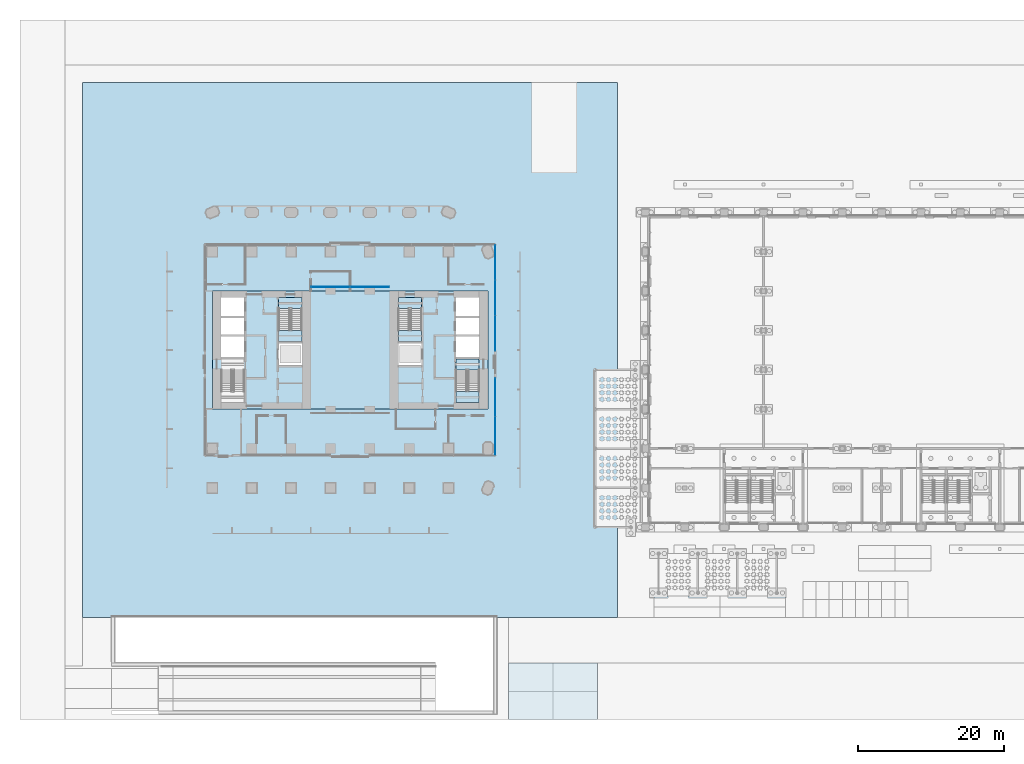
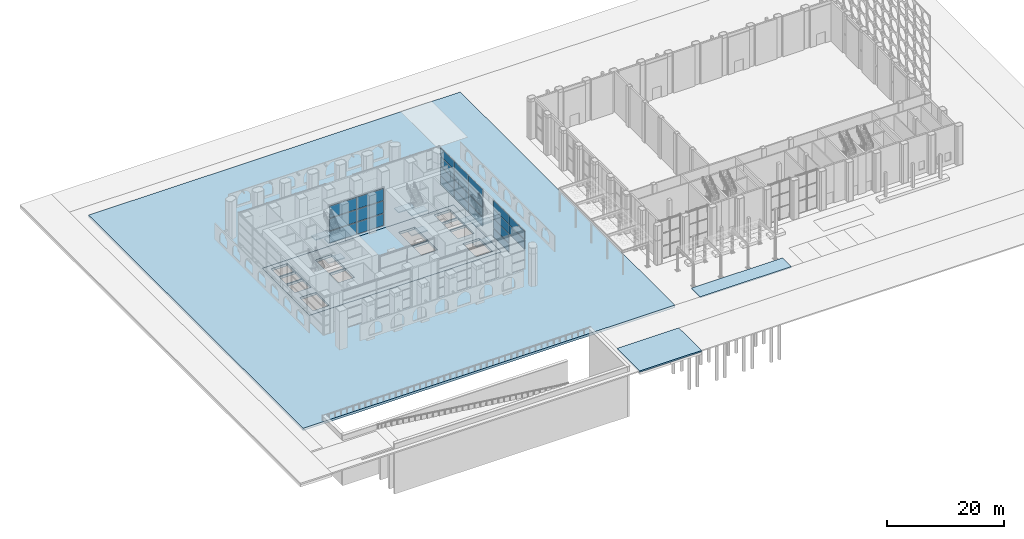
# One storey, part 19 of 54: 24 plates, 13 slabs, 6 elements without a shape of their own.
"""IFC4 building model written with IfcOpenShell, lengths in metres."""

import ifcopenshell
import ifcopenshell.guid

model = None  # the IFC model being written
_history = None  # IfcOwnerHistory: only IFC2X3 demands one
_inside = {}  # id of a spatial element -> (the spatial element, [elements in it])
_under = {}  # id of a project, library or spatial element -> (it, [spatial elements below it])
_declared = {}  # id of a project -> (the project, [libraries it declares])
_typed = {}  # id of a type object -> (the type object, [elements of that type])
_made_of = {}  # id of a material, layer set ... -> (it, [elements and type objects made of it])


def new_model(schema):
    """Start an empty IFC model of exactly this schema.

    Asked for "IFC4X3", IfcOpenShell would pick the latest addendum, in which some entities
    have other attributes; the version numbers below select the first issue.
    IFC2X3 requires an IfcOwnerHistory on every rooted entity: one is made here for all.
    """
    global model, _history
    if schema == "IFC4X3":
        model = ifcopenshell.file(schema_version=(4, 3, 0, 0))
    else:
        model = ifcopenshell.file(schema=schema)
    _inside.clear()
    _under.clear()
    _declared.clear()
    _typed.clear()
    _made_of.clear()
    _history = None
    if model.schema == "IFC2X3":
        org = make("IfcOrganization", Name="unknown")
        user = make(
            "IfcPersonAndOrganization",
            ThePerson=make("IfcPerson", FamilyName="unknown"),
            TheOrganization=org,
        )
        app = make(
            "IfcApplication",
            ApplicationDeveloper=org,
            Version="unknown",
            ApplicationFullName="unknown",
            ApplicationIdentifier="unknown",
        )
        _history = make(
            "IfcOwnerHistory",
            OwningUser=user,
            OwningApplication=app,
            ChangeAction="ADDED",
            CreationDate=0,
        )
    return model


def make(cls, **values):
    """One entity of the class cls with the attributes given. An attribute that is None is left unset."""
    return model.create_entity(
        cls, **{name: value for name, value in values.items() if value is not None}
    )


def rooted(cls, **values):
    """An entity with a GlobalId (a new one), such as an element, a storey or a relation."""
    return make(cls, GlobalId=ifcopenshell.guid.new(), OwnerHistory=_history, **values)


def si_unit(unit_type, name, prefix=None):
    """IfcSIUnit, for example si_unit("LENGTHUNIT", "METRE", prefix="MILLI")."""
    return make("IfcSIUnit", UnitType=unit_type, Prefix=prefix, Name=name)


def assignment(units):
    """IfcUnitAssignment: the units of a project."""
    return None if units is None else make("IfcUnitAssignment", Units=units)


def point(xyz):
    """IfcCartesianPoint."""
    return None if xyz is None else make("IfcCartesianPoint", Coordinates=xyz)


def direction(xyz):
    """IfcDirection."""
    return None if xyz is None else make("IfcDirection", DirectionRatios=xyz)


def frame(location, z_axis=None, x_axis=None):
    """IfcAxis2Placement3D, a coordinate frame: its origin and axes. An axis left out is left unset."""
    return make(
        "IfcAxis2Placement3D",
        Location=point(location),
        Axis=direction(z_axis),
        RefDirection=direction(x_axis),
    )


def frame_2d(location, x_axis=None):
    """IfcAxis2Placement2D, a coordinate frame in the plane: its origin and x axis."""
    return make(
        "IfcAxis2Placement2D", Location=point(location), RefDirection=direction(x_axis)
    )


def origin():
    """The frame at (0, 0, 0) with its axes left unset."""
    return frame((0.0, 0.0, 0.0))


def origin_2d():
    """The frame at (0, 0) in the plane with its x axis left unset."""
    return frame_2d((0.0, 0.0))


def place(relative_to, where):
    """IfcLocalPlacement: puts the frame where relative to a parent placement (None: the world)."""
    return make(
        "IfcLocalPlacement", PlacementRelTo=relative_to, RelativePlacement=where
    )


def context(
    kind, dimensions, precision=None, world=None, true_north=None, identifier=None
):
    """IfcGeometricRepresentationContext, for example the 3D "Model" context."""
    return make(
        "IfcGeometricRepresentationContext",
        ContextIdentifier=identifier,
        ContextType=kind,
        CoordinateSpaceDimension=dimensions,
        Precision=precision,
        WorldCoordinateSystem=world,
        TrueNorth=true_north,
    )


def subcontext(parent, identifier, kind, view, scale=None):
    """IfcGeometricRepresentationSubContext, for example "Body" below "Model"."""
    return make(
        "IfcGeometricRepresentationSubContext",
        ContextIdentifier=identifier,
        ContextType=kind,
        ParentContext=parent,
        TargetScale=scale,
        TargetView=view,
    )


def project(units=None, contexts=None):
    """IfcProject with its units and contexts."""
    return rooted(
        "IfcProject",
        Name="project",
        RepresentationContexts=contexts,
        UnitsInContext=assignment(units),
    )


def spatial(cls, under=None, at=None, **own):
    """A site, building, storey or space (cls), placed at a placement, below another one or the project."""
    s = rooted(cls, ObjectPlacement=at, **own)
    if under is not None:
        _under.setdefault(under.id(), (under, []))[1].append(s)
    return s


def polyline(points):
    """IfcPolyline through the points."""
    return make("IfcPolyline", Points=[point(p) for p in points])


def profile(cls, at=None, kind="AREA", **sizes):
    """A parametric profile (cls). Its sizes go by their IFC names, for example OverallWidth=200.0."""
    return make(cls, ProfileType=kind, Position=at, **sizes)


def rectangle(**sizes):
    """IfcRectangleProfileDef."""
    return profile("IfcRectangleProfileDef", **sizes)


def outline(outer, holes=None, kind="AREA"):
    """IfcArbitraryClosedProfileDef: a profile drawn as a closed curve; with holes, ...WithVoids."""
    if holes is None:
        return make("IfcArbitraryClosedProfileDef", ProfileType=kind, OuterCurve=outer)
    return make(
        "IfcArbitraryProfileDefWithVoids",
        ProfileType=kind,
        OuterCurve=outer,
        InnerCurves=holes,
    )


def extrude(swept, where, along, depth):
    """IfcExtrudedAreaSolid: the profile swept, set in the frame where, extruded along a direction by depth."""
    return make(
        "IfcExtrudedAreaSolid",
        SweptArea=swept,
        Position=where,
        ExtrudedDirection=direction(along),
        Depth=depth,
    )


def shape(context_of_items, identifier, shape_type, items):
    """IfcShapeRepresentation: the items that make up one representation, for example the "Body"."""
    return make(
        "IfcShapeRepresentation",
        ContextOfItems=context_of_items,
        RepresentationIdentifier=identifier,
        RepresentationType=shape_type,
        Items=items,
    )


def material(Name=None, Category=None):
    """IfcMaterial."""
    return make("IfcMaterial", Name=Name, Category=Category)


def layer(
    of_material, thickness, ventilated=None, Name=None, Category=None, Priority=None
):
    """IfcMaterialLayer: one layer of a wall or slab, of a material (None: an air gap)."""
    return make(
        "IfcMaterialLayer",
        Material=of_material,
        LayerThickness=thickness,
        IsVentilated=ventilated,
        Name=Name,
        Category=Category,
        Priority=Priority,
    )


def layer_set(layers, Name=None):
    """IfcMaterialLayerSet."""
    return make("IfcMaterialLayerSet", MaterialLayers=layers, LayerSetName=Name)


def made_of(thing, what):
    """Note that an element or type object is made of a material, layer set ...; save() writes the relation."""
    if what is not None:
        _made_of.setdefault(what.id(), (what, []))[1].append(thing)
    return thing


def type_object(cls, material=None, **own):
    """A type object (cls), such as IfcWallType, which elements share."""
    return made_of(rooted(cls, **own), material)


def element(
    cls,
    number,
    at=None,
    inside=None,
    cuts=None,
    type_object=None,
    material=None,
    context=None,
    identifier="Body",
    shape_type=None,
    held_by="IfcProductDefinitionShape",
    body=None,
    shapes=None,
    **own,
):
    """One element of the class cls, such as IfcWall. Its Tag is "e" and its number.

    at: its placement. inside: the storey or other place that contains it. cuts: it is an
    opening in that element (IfcRelVoidsElement). A single representation is given by context,
    identifier, shape_type and body (its items); several are given by shapes. held_by: the class
    of the entity that holds the representations. save() writes the other relations.
    """
    e = rooted(cls, Tag="e%d" % number, ObjectPlacement=at, **own)
    if body is not None:
        shapes = [shape(context, identifier, shape_type, body)]
    if shapes is not None:
        e.Representation = make(held_by, Representations=shapes)
    if inside is not None:
        _inside.setdefault(inside.id(), (inside, []))[1].append(e)
    if cuts is not None:
        rooted(
            "IfcRelVoidsElement", RelatingBuildingElement=cuts, RelatedOpeningElement=e
        )
    if type_object is not None:
        _typed.setdefault(type_object.id(), (type_object, []))[1].append(e)
    return made_of(e, material)


def aggregate(whole, parts):
    """IfcRelAggregates: a whole, such as a stair, and the parts it consists of."""
    return rooted("IfcRelAggregates", RelatingObject=whole, RelatedObjects=parts)


def save(model, path):
    """Write the relations noted so far, then the file.

    IfcRelAggregates (storeys below a building ...), IfcRelContainedInSpatialStructure (elements
    in a storey), IfcRelDefinesByType, IfcRelAssociatesMaterial and IfcRelDeclares: one each for
    every whole, place, type object, material and project.
    """
    for whole, parts in _under.values():
        aggregate(whole, parts)
    for where, things in _inside.values():
        rooted(
            "IfcRelContainedInSpatialStructure",
            RelatedElements=things,
            RelatingStructure=where,
        )
    for kind, things in _typed.values():
        rooted("IfcRelDefinesByType", RelatedObjects=things, RelatingType=kind)
    for what, things in _made_of.values():
        rooted("IfcRelAssociatesMaterial", RelatedObjects=things, RelatingMaterial=what)
    for by, libraries in _declared.values():
        rooted("IfcRelDeclares", RelatingContext=by, RelatedDefinitions=libraries)
    model.write(path)


model = new_model("IFC4")

# Units and contexts
model_context = context("Model", 3, precision=1e-05, world=origin(), true_north=direction((0.0, 1.0)))
body_context = subcontext(model_context, "Body", "Model", "MODEL_VIEW")
ifc_project = project(units=[si_unit("LENGTHUNIT", "METRE"), si_unit("AREAUNIT", "SQUARE_METRE"), si_unit("VOLUMEUNIT", "CUBIC_METRE"), si_unit("PLANEANGLEUNIT", "RADIAN"), si_unit("MASSUNIT", "GRAM", prefix="KILO")], contexts=[model_context])

# Site, building, storey
site_placement = place(None, origin())
site = spatial("IfcSite", under=ifc_project, at=site_placement, CompositionType="ELEMENT")
building_placement = place(site_placement, origin())
building = spatial("IfcBuilding", under=site, at=building_placement, Name="Tabaq Tower and Sports Hall", CompositionType="ELEMENT")
storey_placement = place(building_placement, origin())
storey = spatial("IfcBuildingStorey", under=building, at=storey_placement, Name="L00", CompositionType="ELEMENT", Elevation=0.0)

# Slab
ifc_material_1 = material(Name="Asphalt wearing course on crushed limestone base", Category="masonry")
ifc_layer_1 = layer(ifc_material_1, 0.300048828125)
ifc_layer_set_1 = layer_set([ifc_layer_1], Name="ASPHALT ROAD 300")
slab_type_1 = type_object("IfcSlabType", Name="ASPHALT ROAD 300", PredefinedType="USERDEFINED", material=ifc_layer_set_1)
slab_1_placement = place(storey_placement, frame((0.0, 0.0, -0.300048828125)))
element("IfcSlab", 1, at=slab_1_placement, inside=storey, type_object=slab_type_1, Name="South Road Turning Head (fire appliance access)", ObjectType="PAVING", PredefinedType="USERDEFINED", context=body_context, shape_type="SweptSolid", body=[
    extrude(outline(polyline([(46.0, -18.60009765625), (46.0, -26.3798828125), (58.199951171875, -26.3798828125), (58.199951171875, -18.60009765625), (46.0, -18.60009765625)])), origin(), (0.0, 0.0, 1.0), 0.300048828125),
])

# Curtain wall, plates
ifc_material_2 = material(Name="Aluminium alloy 6063-T6 framed glazing", Category="aluminium")
curtain_wall_type_1 = type_object("IfcCurtainWallType", Name="CW1 curtain wall", PredefinedType="USERDEFINED", material=ifc_material_2)
curtain_wall_1_placement = place(storey_placement, origin())
curtain_wall_1 = element("IfcCurtainWall", 2, at=curtain_wall_1_placement, inside=storey, type_object=curtain_wall_type_1, Name="Atrium glazing L00 N", ObjectType="ATRIUM ENCLOSURE", PredefinedType="USERDEFINED")
ifc_material_3 = material(Name="Clear low-emissivity glass 28 mm", Category="glass")
ifc_layer_2 = layer(ifc_material_3, 0.028076171875)
ifc_layer_set_2 = layer_set([ifc_layer_2], Name="CW1 glass panel 28")
plate_type_1 = type_object("IfcPlateType", Name="CW1 glass panel 28", PredefinedType="CURTAIN_PANEL", material=ifc_layer_set_2)
plate_1_placement = place(storey_placement, frame((21.614990234375, 32.949951171875, 0.14013671875), z_axis=(0.0, 0.0, 1.0), x_axis=(1.0, 0.0, 0.0)))
plate_1 = element("IfcPlate", 3, at=plate_1_placement, type_object=plate_type_1, Name="CW1 panel 1.1", PredefinedType="CURTAIN_PANEL", context=body_context, shape_type="SweptSolid", body=[
    extrude(rectangle(XDim=5.31005859375, YDim=0.028076171875, at=origin_2d()), origin(), (0.0, 0.0, 1.0), 2.456787109375),
])
plate_2_placement = place(storey_placement, frame((21.614990234375, 32.949951171875, 2.73681640625), z_axis=(0.0, 0.0, 1.0), x_axis=(1.0, 0.0, 0.0)))
plate_2 = element("IfcPlate", 4, at=plate_2_placement, type_object=plate_type_1, Name="CW1 panel 1.2", PredefinedType="CURTAIN_PANEL", context=body_context, shape_type="SweptSolid", body=[
    extrude(rectangle(XDim=5.31005859375, YDim=0.028076171875, at=origin_2d()), origin(), (0.0, 0.0, 1.0), 2.526611328125),
])
plate_3_placement = place(storey_placement, frame((21.614990234375, 32.949951171875, 5.4033203125), z_axis=(0.0, 0.0, 1.0), x_axis=(1.0, 0.0, 0.0)))
plate_3 = element("IfcPlate", 5, at=plate_3_placement, type_object=plate_type_1, Name="CW1 panel 1.3", PredefinedType="CURTAIN_PANEL", context=body_context, shape_type="SweptSolid", body=[
    extrude(rectangle(XDim=5.31005859375, YDim=0.028076171875, at=origin_2d()), origin(), (0.0, 0.0, 1.0), 2.456787109375),
])
plate_4_placement = place(storey_placement, frame((26.985107421875, 32.949951171875, 0.14013671875), z_axis=(0.0, 0.0, 1.0), x_axis=(1.0, 0.0, 0.0)))
plate_4 = element("IfcPlate", 6, at=plate_4_placement, type_object=plate_type_1, Name="CW1 panel 2.1", PredefinedType="CURTAIN_PANEL", context=body_context, shape_type="SweptSolid", body=[
    extrude(rectangle(XDim=5.31005859375, YDim=0.028076171875, at=origin_2d()), origin(), (0.0, 0.0, 1.0), 2.456787109375),
])
plate_5_placement = place(storey_placement, frame((26.985107421875, 32.949951171875, 2.73681640625), z_axis=(0.0, 0.0, 1.0), x_axis=(1.0, 0.0, 0.0)))
plate_5 = element("IfcPlate", 7, at=plate_5_placement, type_object=plate_type_1, Name="CW1 panel 2.2", PredefinedType="CURTAIN_PANEL", context=body_context, shape_type="SweptSolid", body=[
    extrude(rectangle(XDim=5.31005859375, YDim=0.028076171875, at=origin_2d()), origin(), (0.0, 0.0, 1.0), 2.526611328125),
])
plate_6_placement = place(storey_placement, frame((26.985107421875, 32.949951171875, 5.4033203125), z_axis=(0.0, 0.0, 1.0), x_axis=(1.0, 0.0, 0.0)))
plate_6 = element("IfcPlate", 8, at=plate_6_placement, type_object=plate_type_1, Name="CW1 panel 2.3", PredefinedType="CURTAIN_PANEL", context=body_context, shape_type="SweptSolid", body=[
    extrude(rectangle(XDim=5.31005859375, YDim=0.028076171875, at=origin_2d()), origin(), (0.0, 0.0, 1.0), 2.456787109375),
])
aggregate(curtain_wall_1, [plate_1, plate_2, plate_3, plate_4, plate_5, plate_6])

ifc_material_4 = material(Name="Aluminium alloy 6063-T6 framed glazing", Category="aluminium")
curtain_wall_type_2 = type_object("IfcCurtainWallType", Name="CW4 curtain wall", PredefinedType="USERDEFINED", material=ifc_material_4)
curtain_wall_2_placement = place(storey_placement, origin())
curtain_wall_2 = element("IfcCurtainWall", 9, at=curtain_wall_2_placement, inside=storey, type_object=curtain_wall_type_2, Name="Ground lobby wall E", ObjectType="GROUND LOBBY WALL", PredefinedType="USERDEFINED")
ifc_material_5 = material(Name="Clear low-emissivity glass 28 mm", Category="glass")
ifc_layer_3 = layer(ifc_material_5, 0.035888671875)
ifc_layer_set_3 = layer_set([ifc_layer_3], Name="CW4 glass panel 36")
plate_type_2 = type_object("IfcPlateType", Name="CW4 glass panel 36", PredefinedType="CURTAIN_PANEL", material=ifc_layer_set_3)
plate_7_placement = place(storey_placement, frame((44.199951171875, 36.33837890625, 0.16015625), z_axis=(0.0, 0.0, 1.0), x_axis=(0.0, -1.0, 0.0)))
plate_7 = element("IfcPlate", 10, at=plate_7_placement, type_object=plate_type_2, Name="CW4 panel 1.1", PredefinedType="CURTAIN_PANEL", context=body_context, shape_type="SweptSolid", body=[
    extrude(rectangle(XDim=4.763427734375, YDim=0.035888671875, at=origin_2d()), origin(), (0.0, 0.0, 1.0), 1.760009765625),
])
plate_8_placement = place(storey_placement, frame((44.199951171875, 36.33837890625, 2.080078125), z_axis=(0.0, 0.0, 1.0), x_axis=(0.0, -1.0, 0.0)))
plate_8 = element("IfcPlate", 11, at=plate_8_placement, type_object=plate_type_2, Name="CW4 panel 1.2", PredefinedType="CURTAIN_PANEL", context=body_context, shape_type="SweptSolid", body=[
    extrude(rectangle(XDim=4.763427734375, YDim=0.035888671875, at=origin_2d()), origin(), (0.0, 0.0, 1.0), 1.840087890625),
])
plate_9_placement = place(storey_placement, frame((44.199951171875, 36.33837890625, 4.080078125), z_axis=(0.0, 0.0, 1.0), x_axis=(0.0, -1.0, 0.0)))
plate_9 = element("IfcPlate", 12, at=plate_9_placement, type_object=plate_type_2, Name="CW4 panel 1.3", PredefinedType="CURTAIN_PANEL", context=body_context, shape_type="SweptSolid", body=[
    extrude(rectangle(XDim=4.763427734375, YDim=0.035888671875, at=origin_2d()), origin(), (0.0, 0.0, 1.0), 1.840087890625),
])
plate_10_placement = place(storey_placement, frame((44.199951171875, 36.33837890625, 6.080078125), z_axis=(0.0, 0.0, 1.0), x_axis=(0.0, -1.0, 0.0)))
plate_10 = element("IfcPlate", 13, at=plate_10_placement, type_object=plate_type_2, Name="CW4 panel 1.4", PredefinedType="CURTAIN_PANEL", context=body_context, shape_type="SweptSolid", body=[
    extrude(rectangle(XDim=4.763427734375, YDim=0.035888671875, at=origin_2d()), origin(), (0.0, 0.0, 1.0), 1.760009765625),
])
plate_11_placement = place(storey_placement, frame((44.199951171875, 31.47509765625, 0.16015625), z_axis=(0.0, 0.0, 1.0), x_axis=(0.0, -1.0, 0.0)))
plate_11 = element("IfcPlate", 14, at=plate_11_placement, type_object=plate_type_2, Name="CW4 panel 2.1", PredefinedType="CURTAIN_PANEL", context=body_context, shape_type="SweptSolid", body=[
    extrude(rectangle(XDim=4.80322265625, YDim=0.035888671875, at=origin_2d()), origin(), (0.0, 0.0, 1.0), 1.760009765625),
])
plate_12_placement = place(storey_placement, frame((44.199951171875, 31.47509765625, 2.080078125), z_axis=(0.0, 0.0, 1.0), x_axis=(0.0, -1.0, 0.0)))
plate_12 = element("IfcPlate", 15, at=plate_12_placement, type_object=plate_type_2, Name="CW4 panel 2.2", PredefinedType="CURTAIN_PANEL", context=body_context, shape_type="SweptSolid", body=[
    extrude(rectangle(XDim=4.80322265625, YDim=0.035888671875, at=origin_2d()), origin(), (0.0, 0.0, 1.0), 1.840087890625),
])
plate_13_placement = place(storey_placement, frame((44.199951171875, 31.47509765625, 4.080078125), z_axis=(0.0, 0.0, 1.0), x_axis=(0.0, -1.0, 0.0)))
plate_13 = element("IfcPlate", 16, at=plate_13_placement, type_object=plate_type_2, Name="CW4 panel 2.3", PredefinedType="CURTAIN_PANEL", context=body_context, shape_type="SweptSolid", body=[
    extrude(rectangle(XDim=4.80322265625, YDim=0.035888671875, at=origin_2d()), origin(), (0.0, 0.0, 1.0), 1.840087890625),
])
plate_14_placement = place(storey_placement, frame((44.199951171875, 31.47509765625, 6.080078125), z_axis=(0.0, 0.0, 1.0), x_axis=(0.0, -1.0, 0.0)))
plate_14 = element("IfcPlate", 17, at=plate_14_placement, type_object=plate_type_2, Name="CW4 panel 2.4", PredefinedType="CURTAIN_PANEL", context=body_context, shape_type="SweptSolid", body=[
    extrude(rectangle(XDim=4.80322265625, YDim=0.035888671875, at=origin_2d()), origin(), (0.0, 0.0, 1.0), 1.760009765625),
])
plate_15_placement = place(storey_placement, frame((44.199951171875, 26.611572265625, 0.16015625), z_axis=(0.0, 0.0, 1.0), x_axis=(0.0, -1.0, 0.0)))
plate_15 = element("IfcPlate", 18, at=plate_15_placement, type_object=plate_type_2, Name="CW4 panel 3.1", PredefinedType="CURTAIN_PANEL", context=body_context, shape_type="SweptSolid", body=[
    extrude(rectangle(XDim=4.763427734375, YDim=0.035888671875, at=origin_2d()), origin(), (0.0, 0.0, 1.0), 1.760009765625),
])
plate_16_placement = place(storey_placement, frame((44.199951171875, 26.611572265625, 2.080078125), z_axis=(0.0, 0.0, 1.0), x_axis=(0.0, -1.0, 0.0)))
plate_16 = element("IfcPlate", 19, at=plate_16_placement, type_object=plate_type_2, Name="CW4 panel 3.2", PredefinedType="CURTAIN_PANEL", context=body_context, shape_type="SweptSolid", body=[
    extrude(rectangle(XDim=4.763427734375, YDim=0.035888671875, at=origin_2d()), origin(), (0.0, 0.0, 1.0), 1.840087890625),
])
plate_17_placement = place(storey_placement, frame((44.199951171875, 26.611572265625, 4.080078125), z_axis=(0.0, 0.0, 1.0), x_axis=(0.0, -1.0, 0.0)))
plate_17 = element("IfcPlate", 20, at=plate_17_placement, type_object=plate_type_2, Name="CW4 panel 3.3", PredefinedType="CURTAIN_PANEL", context=body_context, shape_type="SweptSolid", body=[
    extrude(rectangle(XDim=4.763427734375, YDim=0.035888671875, at=origin_2d()), origin(), (0.0, 0.0, 1.0), 1.840087890625),
])
plate_18_placement = place(storey_placement, frame((44.199951171875, 26.611572265625, 6.080078125), z_axis=(0.0, 0.0, 1.0), x_axis=(0.0, -1.0, 0.0)))
plate_18 = element("IfcPlate", 21, at=plate_18_placement, type_object=plate_type_2, Name="CW4 panel 3.4", PredefinedType="CURTAIN_PANEL", context=body_context, shape_type="SweptSolid", body=[
    extrude(rectangle(XDim=4.763427734375, YDim=0.035888671875, at=origin_2d()), origin(), (0.0, 0.0, 1.0), 1.760009765625),
])
aggregate(curtain_wall_2, [plate_7, plate_8, plate_9, plate_10, plate_11, plate_12, plate_13, plate_14, plate_15, plate_16, plate_17, plate_18])

curtain_wall_3_placement = place(storey_placement, origin())
curtain_wall_3 = element("IfcCurtainWall", 22, at=curtain_wall_3_placement, inside=storey, type_object=curtain_wall_type_2, Name="Ground lobby wall E", ObjectType="GROUND LOBBY WALL", PredefinedType="USERDEFINED")
plate_19_placement = place(storey_placement, frame((44.199951171875, 17.842529296875, 0.16015625), z_axis=(0.0, 0.0, 1.0), x_axis=(0.0, -1.0, 0.0)))
plate_19 = element("IfcPlate", 23, at=plate_19_placement, type_object=plate_type_2, Name="CW4 panel 1.1", PredefinedType="CURTAIN_PANEL", context=body_context, shape_type="SweptSolid", body=[
    extrude(rectangle(XDim=5.2548828125, YDim=0.035888671875, at=origin_2d()), origin(), (0.0, 0.0, 1.0), 1.760009765625),
])
plate_20_placement = place(storey_placement, frame((44.199951171875, 17.842529296875, 2.080078125), z_axis=(0.0, 0.0, 1.0), x_axis=(0.0, -1.0, 0.0)))
plate_20 = element("IfcPlate", 24, at=plate_20_placement, type_object=plate_type_2, Name="CW4 panel 1.2", PredefinedType="CURTAIN_PANEL", context=body_context, shape_type="SweptSolid", body=[
    extrude(rectangle(XDim=5.2548828125, YDim=0.035888671875, at=origin_2d()), origin(), (0.0, 0.0, 1.0), 1.840087890625),
])
plate_21_placement = place(storey_placement, frame((44.199951171875, 17.842529296875, 4.080078125), z_axis=(0.0, 0.0, 1.0), x_axis=(0.0, -1.0, 0.0)))
plate_21 = element("IfcPlate", 25, at=plate_21_placement, type_object=plate_type_2, Name="CW4 panel 1.3", PredefinedType="CURTAIN_PANEL", context=body_context, shape_type="SweptSolid", body=[
    extrude(rectangle(XDim=5.2548828125, YDim=0.035888671875, at=origin_2d()), origin(), (0.0, 0.0, 1.0), 1.840087890625),
])
plate_22_placement = place(storey_placement, frame((44.199951171875, 17.842529296875, 6.080078125), z_axis=(0.0, 0.0, 1.0), x_axis=(0.0, -1.0, 0.0)))
plate_22 = element("IfcPlate", 26, at=plate_22_placement, type_object=plate_type_2, Name="CW4 panel 1.4", PredefinedType="CURTAIN_PANEL", context=body_context, shape_type="SweptSolid", body=[
    extrude(rectangle(XDim=5.2548828125, YDim=0.035888671875, at=origin_2d()), origin(), (0.0, 0.0, 1.0), 1.760009765625),
])
plate_23_placement = place(storey_placement, frame((44.199951171875, 12.507568359375, 4.080078125), z_axis=(0.0, 0.0, 1.0), x_axis=(0.0, -1.0, 0.0)))
plate_23 = element("IfcPlate", 27, at=plate_23_placement, type_object=plate_type_2, Name="CW4 panel 2.3", PredefinedType="CURTAIN_PANEL", context=body_context, shape_type="SweptSolid", body=[
    extrude(rectangle(XDim=5.2548828125, YDim=0.035888671875, at=origin_2d()), origin(), (0.0, 0.0, 1.0), 1.840087890625),
])
plate_24_placement = place(storey_placement, frame((44.199951171875, 12.507568359375, 6.080078125), z_axis=(0.0, 0.0, 1.0), x_axis=(0.0, -1.0, 0.0)))
plate_24 = element("IfcPlate", 28, at=plate_24_placement, type_object=plate_type_2, Name="CW4 panel 2.4", PredefinedType="CURTAIN_PANEL", context=body_context, shape_type="SweptSolid", body=[
    extrude(rectangle(XDim=5.2548828125, YDim=0.035888671875, at=origin_2d()), origin(), (0.0, 0.0, 1.0), 1.760009765625),
])
aggregate(curtain_wall_3, [plate_19, plate_20, plate_21, plate_22, plate_23, plate_24])

# Stair, slabs
ifc_material_6 = material(Name="Concrete C40/50", Category="concrete")
stair_type = type_object("IfcStairType", Name="Exit stair", PredefinedType="HALF_TURN_STAIR", material=ifc_material_6)
stair_1_placement = place(storey_placement, origin())
stair_1 = element("IfcStair", 29, at=stair_1_placement, inside=storey, type_object=stair_type, Name="L00 Exit stair ST2", PredefinedType="HALF_TURN_STAIR")
ifc_material_7 = material(Name="Concrete C40/50", Category="concrete")
ifc_layer_4 = layer(ifc_material_7, 0.199951171875)
ifc_layer_set_4 = layer_set([ifc_layer_4], Name="Exit stair landing")
slab_type_2 = type_object("IfcSlabType", Name="Exit stair landing", PredefinedType="LANDING", material=ifc_layer_set_4)
slab_2_placement = place(storey_placement, frame((0.0, 0.0, 1.89990234375)))
slab_2 = element("IfcSlab", 30, at=slab_2_placement, type_object=slab_type_2, Name="ST2 landing 1", PredefinedType="LANDING", context=body_context, shape_type="SweptSolid", body=[
    extrude(outline(polyline([(14.5, 27.0), (14.5, 25.5), (17.699951171875, 25.5), (17.699951171875, 27.0), (14.5, 27.0)])), origin(), (0.0, 0.0, 1.0), 0.2001953125),
])
slab_3_placement = place(storey_placement, frame((0.0, 0.0, 4.0)))
slab_3 = element("IfcSlab", 31, at=slab_3_placement, type_object=slab_type_2, Name="ST2 landing 2", PredefinedType="LANDING", context=body_context, shape_type="SweptSolid", body=[
    extrude(outline(polyline([(14.5, 31.5), (14.5, 30.0), (17.699951171875, 30.0), (17.699951171875, 31.5), (14.5, 31.5)])), origin(), (0.0, 0.0, 1.0), 0.199951171875),
])
slab_4_placement = place(storey_placement, frame((0.0, 0.0, 6.10009765625)))
slab_4 = element("IfcSlab", 32, at=slab_4_placement, type_object=slab_type_2, Name="ST2 landing 3", PredefinedType="LANDING", context=body_context, shape_type="SweptSolid", body=[
    extrude(outline(polyline([(14.5, 27.0), (14.5, 25.5), (17.699951171875, 25.5), (17.699951171875, 27.0), (14.5, 27.0)])), origin(), (0.0, 0.0, 1.0), 0.199951171875),
])
aggregate(stair_1, [slab_2, slab_3, slab_4])

stair_2_placement = place(storey_placement, origin())
stair_2 = element("IfcStair", 33, at=stair_2_placement, inside=storey, type_object=stair_type, Name="L00 Exit stair ST3", PredefinedType="HALF_TURN_STAIR")
slab_5_placement = place(storey_placement, frame((0.0, 0.0, 1.89990234375)))
slab_5 = element("IfcSlab", 34, at=slab_5_placement, type_object=slab_type_2, Name="ST3 landing 1", PredefinedType="LANDING", context=body_context, shape_type="SweptSolid", body=[
    extrude(outline(polyline([(38.800048828125, 18.60009765625), (38.800048828125, 17.10009765625), (42.0, 17.10009765625), (42.0, 18.60009765625), (38.800048828125, 18.60009765625)])), origin(), (0.0, 0.0, 1.0), 0.2001953125),
])
slab_6_placement = place(storey_placement, frame((0.0, 0.0, 4.0)))
slab_6 = element("IfcSlab", 35, at=slab_6_placement, type_object=slab_type_2, Name="ST3 landing 2", PredefinedType="LANDING", context=body_context, shape_type="SweptSolid", body=[
    extrude(outline(polyline([(38.800048828125, 23.10009765625), (38.800048828125, 21.60009765625), (42.0, 21.60009765625), (42.0, 23.10009765625), (38.800048828125, 23.10009765625)])), origin(), (0.0, 0.0, 1.0), 0.199951171875),
])
slab_7_placement = place(storey_placement, frame((0.0, 0.0, 6.10009765625)))
slab_7 = element("IfcSlab", 36, at=slab_7_placement, type_object=slab_type_2, Name="ST3 landing 3", PredefinedType="LANDING", context=body_context, shape_type="SweptSolid", body=[
    extrude(outline(polyline([(38.800048828125, 18.60009765625), (38.800048828125, 17.10009765625), (42.0, 17.10009765625), (42.0, 18.60009765625), (38.800048828125, 18.60009765625)])), origin(), (0.0, 0.0, 1.0), 0.199951171875),
])
aggregate(stair_2, [slab_5, slab_6, slab_7])

stair_3_placement = place(storey_placement, origin())
stair_3 = element("IfcStair", 37, at=stair_3_placement, inside=storey, type_object=stair_type, Name="L00 Exit stair ST4", PredefinedType="HALF_TURN_STAIR")
slab_8_placement = place(storey_placement, frame((0.0, 0.0, 1.89990234375)))
slab_8 = element("IfcSlab", 38, at=slab_8_placement, type_object=slab_type_2, Name="ST4 landing 1", PredefinedType="LANDING", context=body_context, shape_type="SweptSolid", body=[
    extrude(outline(polyline([(30.89990234375, 27.0), (30.89990234375, 25.5), (34.10009765625, 25.5), (34.10009765625, 27.0), (30.89990234375, 27.0)])), origin(), (0.0, 0.0, 1.0), 0.2001953125),
])
slab_9_placement = place(storey_placement, frame((0.0, 0.0, 4.0)))
slab_9 = element("IfcSlab", 39, at=slab_9_placement, type_object=slab_type_2, Name="ST4 landing 2", PredefinedType="LANDING", context=body_context, shape_type="SweptSolid", body=[
    extrude(outline(polyline([(30.89990234375, 31.5), (30.89990234375, 30.0), (34.10009765625, 30.0), (34.10009765625, 31.5), (30.89990234375, 31.5)])), origin(), (0.0, 0.0, 1.0), 0.199951171875),
])
slab_10_placement = place(storey_placement, frame((0.0, 0.0, 6.10009765625)))
slab_10 = element("IfcSlab", 40, at=slab_10_placement, type_object=slab_type_2, Name="ST4 landing 3", PredefinedType="LANDING", context=body_context, shape_type="SweptSolid", body=[
    extrude(outline(polyline([(30.89990234375, 27.0), (30.89990234375, 25.5), (34.10009765625, 25.5), (34.10009765625, 27.0), (30.89990234375, 27.0)])), origin(), (0.0, 0.0, 1.0), 0.199951171875),
])
aggregate(stair_3, [slab_8, slab_9, slab_10])

# Slabs
ifc_material_8 = material(Name="Precast concrete C35/45 paving units on compacted limestone sub-base", Category="masonry")
ifc_layer_5 = layer(ifc_material_8, 0.25)
ifc_layer_set_5 = layer_set([ifc_layer_5], Name="PLAZA PAVING 250")
slab_type_3 = type_object("IfcSlabType", Name="PLAZA PAVING 250", PredefinedType="USERDEFINED", material=ifc_layer_set_5)
slab_11_placement = place(storey_placement, frame((0.0, 0.0, -0.25)))
element("IfcSlab", 41, at=slab_11_placement, inside=storey, type_object=slab_type_3, Name="Drop-off lay-by", ObjectType="PAVING", PredefinedType="USERDEFINED", context=body_context, shape_type="SweptSolid", body=[
    extrude(outline(polyline([(84.0, -9.39990234375), (83.199951171875, -9.39990234375), (82.39990234375, -9.39990234375), (77.800048828125, -9.39990234375), (77.0, -9.39990234375), (72.39990234375, -9.39990234375), (71.60009765625, -9.39990234375), (67.0, -9.39990234375), (66.199951171875, -9.39990234375), (66.0, -9.39990234375), (66.0, -12.39990234375), (84.0, -12.39990234375), (84.0, -9.39990234375)])), origin(), (0.0, 0.0, 1.0), 0.25),
])
ifc_material_9 = material(Name="Concrete C40/50", Category="concrete")
ifc_layer_6 = layer(ifc_material_9, 0.5)
ifc_layer_set_6 = layer_set([ifc_layer_6], Name="PT GROUND FLOOR SLAB 500 C40/50")
slab_type_4 = type_object("IfcSlabType", Name="PT GROUND FLOOR SLAB 500 C40/50", PredefinedType="FLOOR", material=ifc_layer_set_6)
slab_12_placement = place(storey_placement, frame((0.0, 0.0, -0.5)))
element("IfcSlab", 42, at=slab_12_placement, inside=storey, type_object=slab_type_4, Name="Ground Floor Slab", PredefinedType="FLOOR", context=body_context, shape_type="SweptSolid", body=[
    extrude(outline(polyline([(5.39990234375, 16.199951171875), (43.199951171875, 16.199951171875), (43.199951171875, 32.39990234375), (5.39990234375, 32.39990234375), (5.39990234375, 16.199951171875)]), holes=[polyline([(9.800048828125, 21.599365234375), (9.800048828125, 17.10009765625), (6.60009765625, 17.10009765625), (6.60009765625, 21.599365234375), (9.800048828125, 21.599365234375)]), polyline([(17.699951171875, 22.199951171875), (14.5, 22.199951171875), (14.5, 25.25), (17.699951171875, 25.25), (17.699951171875, 22.199951171875)]), polyline([(9.800048828125, 23.35009765625), (6.60009765625, 23.35009765625), (6.60009765625, 26.175048828125), (9.800048828125, 26.175048828125), (9.800048828125, 23.35009765625)]), polyline([(9.800048828125, 28.72509765625), (9.800048828125, 26.425048828125), (6.60009765625, 26.425048828125), (6.60009765625, 28.72509765625), (9.800048828125, 28.72509765625)]), polyline([(17.699951171875, 25.5), (14.5, 25.5), (14.5, 29.99951171875), (17.699951171875, 29.99951171875), (17.699951171875, 25.5)]), polyline([(9.800048828125, 28.97509765625), (6.60009765625, 28.97509765625), (6.60009765625, 31.5), (9.800048828125, 31.5), (9.800048828125, 28.97509765625)]), polyline([(42.0, 21.599365234375), (42.0, 17.10009765625), (38.800048828125, 17.10009765625), (38.800048828125, 21.599365234375), (42.0, 21.599365234375)]), polyline([(34.10009765625, 22.199951171875), (30.89990234375, 22.199951171875), (30.89990234375, 25.25), (34.10009765625, 25.25), (34.10009765625, 22.199951171875)]), polyline([(42.0, 23.35009765625), (38.800048828125, 23.35009765625), (38.800048828125, 26.175048828125), (42.0, 26.175048828125), (42.0, 23.35009765625)]), polyline([(42.0, 28.72509765625), (42.0, 26.425048828125), (38.800048828125, 26.425048828125), (38.800048828125, 28.72509765625), (42.0, 28.72509765625)]), polyline([(34.10009765625, 25.5), (30.89990234375, 25.5), (30.89990234375, 29.99951171875), (34.10009765625, 29.99951171875), (34.10009765625, 25.5)]), polyline([(42.0, 28.97509765625), (38.800048828125, 28.97509765625), (38.800048828125, 31.5), (42.0, 31.5), (42.0, 28.97509765625)])]), origin(), (0.0, 0.0, 1.0), 0.5),
])
ifc_material_10 = material(Name="Concrete C40/50", Category="concrete")
ifc_layer_7 = layer(ifc_material_10, 0.5)
ifc_layer_set_7 = layer_set([ifc_layer_7], Name="PT PLAZA DECK SLAB 500 C40/50")
slab_type_5 = type_object("IfcSlabType", Name="PT PLAZA DECK SLAB 500 C40/50", PredefinedType="FLOOR", material=ifc_layer_set_7)
slab_13_placement = place(storey_placement, frame((0.0, 0.0, -0.5)))
element("IfcSlab", 43, at=slab_13_placement, inside=storey, type_object=slab_type_5, Name="Plaza Deck Slab", PredefinedType="FLOOR", context=body_context, shape_type="SweptSolid", body=[
    extrude(outline(polyline([(-12.39990234375, 61.0), (-12.39990234375, -12.39990234375), (61.0, -12.39990234375), (61.0, 61.0), (-12.39990234375, 61.0)]), holes=[polyline([(5.39990234375, 32.39990234375), (43.199951171875, 32.39990234375), (43.199951171875, 16.199951171875), (5.39990234375, 16.199951171875), (5.39990234375, 32.39990234375)])]), origin(), (0.0, 0.0, 1.0), 0.5),
])

save(model, "model.ifc")
